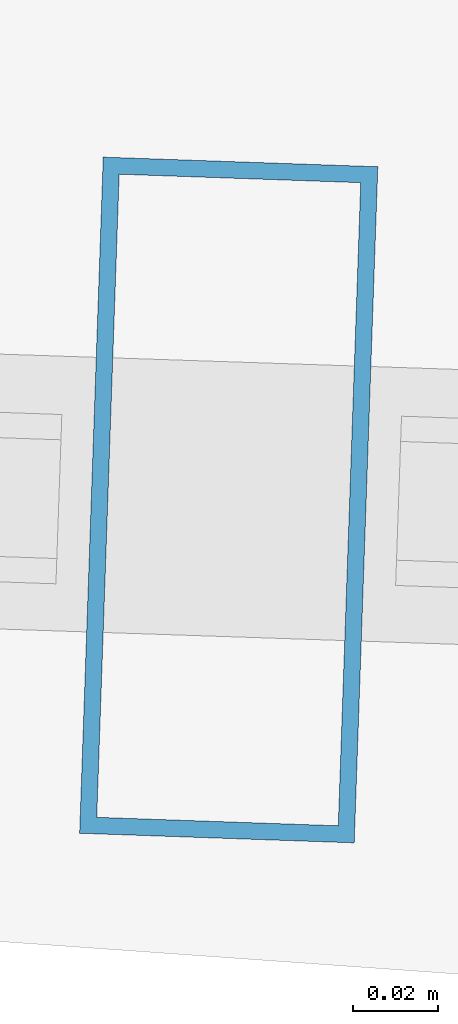
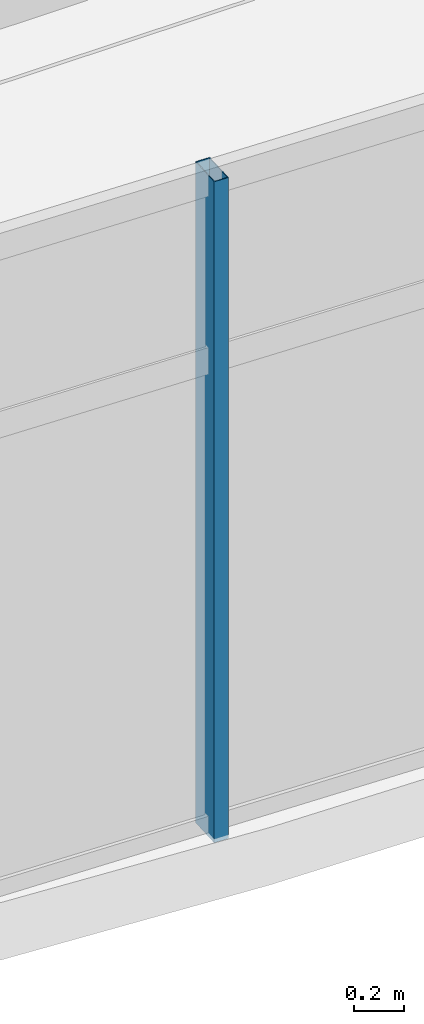
# One storey, part 23 of 65: 1 member, 1 element without a shape of its own.
"""IFC4 building model written with IfcOpenShell, lengths in metres."""

from ifc_helpers import new_model, si_unit, direction, frame, origin, origin_2d, place, context, subcontext, project, spatial, hollow_rectangle, extrude, material, layer, layer_set, material_profile, profile_set, type_object, element, aggregate, save


model = new_model("IFC4")

# Units and contexts
model_context = context("Model", 3, precision=1e-05, world=origin(), true_north=direction((0.0, 1.0)))
body_context = subcontext(model_context, "Body", "Model", "MODEL_VIEW")
ifc_project = project(units=[si_unit("LENGTHUNIT", "METRE"), si_unit("AREAUNIT", "SQUARE_METRE"), si_unit("VOLUMEUNIT", "CUBIC_METRE"), si_unit("PLANEANGLEUNIT", "RADIAN"), si_unit("MASSUNIT", "GRAM", prefix="KILO")], contexts=[model_context])

# Site, building, storey
site_placement = place(None, origin())
site = spatial("IfcSite", under=ifc_project, at=site_placement, CompositionType="ELEMENT")
building_placement = place(site_placement, origin())
building = spatial("IfcBuilding", under=site, at=building_placement, Name="Chalmorin Arch Market", CompositionType="ELEMENT")
storey_placement = place(building_placement, frame((0.0, 0.0, 14.10009765625)))
storey = spatial("IfcBuildingStorey", under=building, at=storey_placement, Name="L03", CompositionType="ELEMENT", Elevation=14.10009765625)

# Curtain wall, member
ifc_material = material(Name="Aluminium 6063-T6", Category="aluminium")
ifc_layer = layer(ifc_material, 0.159912109375)
ifc_layer_set = layer_set([ifc_layer], Name="Aluminium 6063-T6")
curtain_wall_type = type_object("IfcCurtainWallType", Name="CulinaryStudioCurtainWall-CW3-6540x3220", PredefinedType="NOTDEFINED", material=ifc_layer_set)
curtain_wall_placement = place(storey_placement, origin())
curtain_wall = element("IfcCurtainWall", 1, at=curtain_wall_placement, inside=storey, type_object=curtain_wall_type, Name="CW-03-164", PredefinedType="NOTDEFINED")
ifc_material_profile = material_profile(ifc_material, hollow_rectangle(XDim=0.06494140625, YDim=0.159912109375, WallThickness=0.00390625, at=origin_2d()), Name="ALU65X160X4")
ifc_profile_set = profile_set([ifc_material_profile], Name="Aluminium 6063-T6")
member_type = type_object("IfcMemberType", Name="CurtainWallMullion-65x160", PredefinedType="MULLION", material=ifc_profile_set)
member_placement = place(storey_placement, frame((76.60498046875, 67.087158203125, -0.02001953125), z_axis=(0.0, 0.0, 1.0), x_axis=(0.999390827019, -0.034899496703, 0.0)))
member = element("IfcMember", 2, at=member_placement, type_object=member_type, Name="ML-164-02", PredefinedType="MULLION", context=body_context, shape_type="SweptSolid", body=[
    extrude(hollow_rectangle(XDim=0.06494140625, YDim=0.159912109375, WallThickness=0.00390625, at=origin_2d()), origin(), (0.0, 0.0, 1.0), 3.219970703125),
])
aggregate(curtain_wall, [member])

save(model, "model.ifc")
